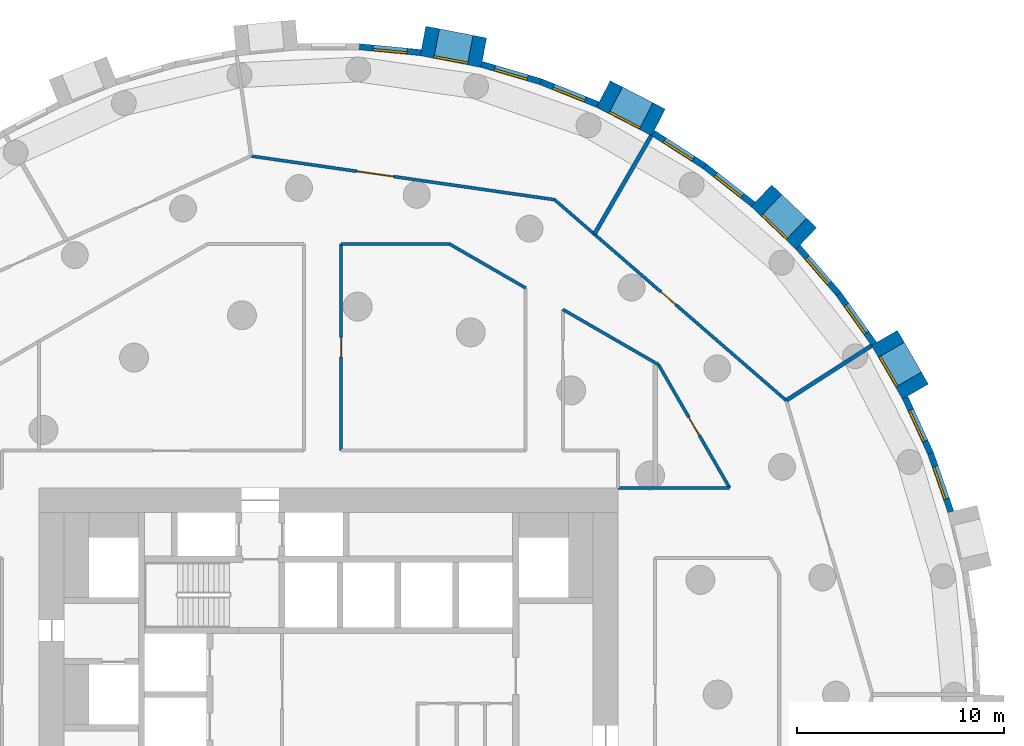
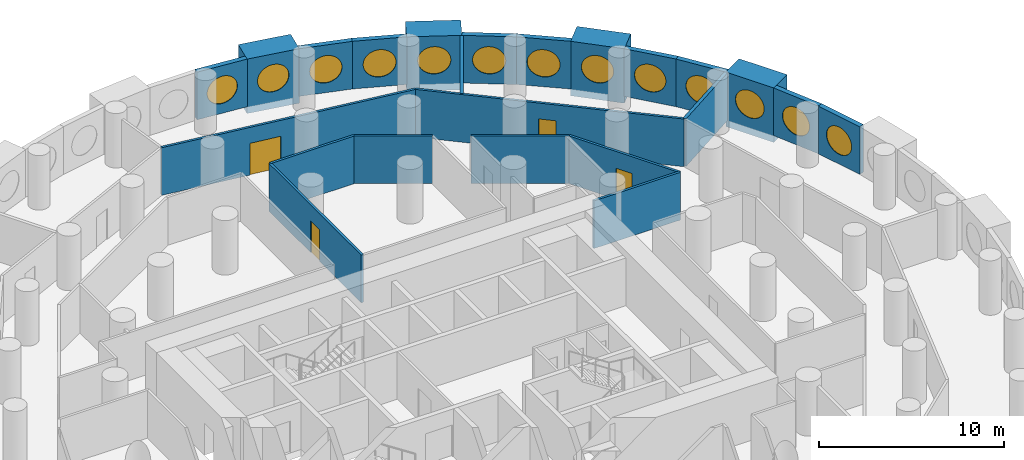
# One storey, part 9 of 11: 23 walls, 13 windows, 4 doors, 17 openings.
"""IFC4 building model written with IfcOpenShell, lengths in metres."""

from ifc_helpers import new_model, si_unit, direction, frame, frame_2d, origin, origin_2d, place, context, subcontext, project, spatial, rectangle, circle, extrude, material, layer, layer_set, type_object, element, fill, save


model = new_model("IFC4")

# Units and contexts
model_context = context("Model", 3, precision=1e-05, world=origin(), true_north=direction((0.0, 1.0)))
body_context = subcontext(model_context, "Body", "Model", "MODEL_VIEW")
ifc_project = project(units=[si_unit("LENGTHUNIT", "METRE"), si_unit("AREAUNIT", "SQUARE_METRE"), si_unit("VOLUMEUNIT", "CUBIC_METRE"), si_unit("PLANEANGLEUNIT", "RADIAN"), si_unit("MASSUNIT", "GRAM", prefix="KILO")], contexts=[model_context])

# Site, building, storey
site_placement = place(None, origin())
site = spatial("IfcSite", under=ifc_project, at=site_placement, CompositionType="ELEMENT")
building_placement = place(site_placement, origin())
building = spatial("IfcBuilding", under=site, at=building_placement, Name="Tracery Tower", CompositionType="ELEMENT")
storey_placement = place(building_placement, frame((0.0, 0.0, 67.800048828125)))
storey = spatial("IfcBuildingStorey", under=building, at=storey_placement, Name="L16", CompositionType="ELEMENT", Elevation=67.800048828125)

# Wall, opening, window
ifc_material_1 = material(Name="Precast concrete C50/60", Category="concrete")
ifc_layer_1 = layer(ifc_material_1, 1.449951171875)
ifc_layer_set_1 = layer_set([ifc_layer_1], Name="Deep-set bay unit 3000 x 3600, slab edge 450")
wall_type_1 = type_object("IfcWallType", Name="Deep-set bay unit 3000 x 3600, slab edge 450", PredefinedType="ELEMENTEDWALL", material=ifc_layer_set_1)
wall_1_placement = place(storey_placement, frame((28.38818359375, 14.657958984375, -0.449951171875), z_axis=(0.0, 0.0, 1.0), x_axis=(-0.499990139034, 0.866031096941, 0.0)))
wall_1 = element("IfcWall", 1, at=wall_1_placement, inside=storey, type_object=wall_type_1, Name="Deep-set bay unit 6 at L16", PredefinedType="ELEMENTEDWALL", context=body_context, shape_type="SweptSolid", body=[
    extrude(rectangle(XDim=3.0, YDim=1.449951171875, at=frame_2d((1.5, 0.0))), origin(), (0.0, 0.0, 1.0), 3.599853515625),
])
opening_1_placement = place(wall_1_placement, frame((1.5, 0.0, 2.0)))
opening_1 = element("IfcOpeningElement", 2, at=opening_1_placement, cuts=wall_1, Name="Opening WN1", PredefinedType="OPENING", context=body_context, shape_type="SweptSolid", body=[
    extrude(circle(Radius=0.9000244140625, at=origin_2d()), frame((0.0, 0.73486328125, 0.0), z_axis=(0.0, -1.0, 0.0), x_axis=(1.0, 0.0, 0.0)), (0.0, 0.0, 1.0), 1.469970703125),
])
ifc_material_2 = material(Name="Aluminium frame with tinted double glazing", Category="aluminium")
window_type = type_object("IfcWindowType", Name="Round window 1800", PartitioningType="SINGLE_PANEL", PredefinedType="WINDOW", material=ifc_material_2)
window_1_placement = place(opening_1_placement, origin())
window_1 = element("IfcWindow", 3, at=window_1_placement, inside=storey, type_object=window_type, Name="Round window 6 at L16", OverallHeight=1.800048828125, OverallWidth=1.800048828125, PartitioningType="SINGLE_PANEL", PredefinedType="WINDOW", context=body_context, shape_type="SweptSolid", body=[
    extrude(circle(Radius=0.9000244140625, at=origin_2d()), frame((0.0, 0.69482421875, 0.0), z_axis=(0.0, -1.0, 0.0), x_axis=(1.0, 0.0, 0.0)), (0.0, 0.0, 1.0), 0.10009765625),
])
fill(opening_1, window_1)

wall_2_placement = place(storey_placement, frame((23.108642578125, 22.06201171875, -0.449951171875), z_axis=(0.0, 0.0, 1.0), x_axis=(-0.723712023899, 0.690102098579, 0.0)))
wall_2 = element("IfcWall", 4, at=wall_2_placement, inside=storey, type_object=wall_type_1, Name="Deep-set bay unit 9 at L16", PredefinedType="ELEMENTEDWALL", context=body_context, shape_type="SweptSolid", body=[
    extrude(rectangle(XDim=3.0, YDim=1.449951171875, at=frame_2d((1.5, 0.0))), origin(), (0.0, 0.0, 1.0), 3.599853515625),
])
opening_2_placement = place(wall_2_placement, frame((1.5, 0.0, 2.0)))
opening_2 = element("IfcOpeningElement", 5, at=opening_2_placement, cuts=wall_2, Name="Opening WN1", PredefinedType="OPENING", context=body_context, shape_type="SweptSolid", body=[
    extrude(circle(Radius=0.9000244140625, at=origin_2d()), frame((0.0, 0.73486328125, 0.0), z_axis=(0.0, -1.0, 0.0), x_axis=(1.0, 0.0, 0.0)), (0.0, 0.0, 1.0), 1.469970703125),
])
window_2_placement = place(opening_2_placement, origin())
window_2 = element("IfcWindow", 6, at=window_2_placement, inside=storey, type_object=window_type, Name="Round window 9 at L16", OverallHeight=1.800048828125, OverallWidth=1.800048828125, PartitioningType="SINGLE_PANEL", PredefinedType="WINDOW", context=body_context, shape_type="SweptSolid", body=[
    extrude(circle(Radius=0.9000244140625, at=origin_2d()), frame((0.0, 0.69482421875, 0.0), z_axis=(0.0, -1.0, 0.0), x_axis=(1.0, 0.0, 0.0)), (0.0, 0.0, 1.0), 0.10009765625),
])
fill(opening_2, window_2)

wall_3_placement = place(storey_placement, frame((15.95703125, 27.678955078125, -0.449951171875), z_axis=(0.0, 0.0, 1.0), x_axis=(-0.888858064689, 0.458182650083, 0.0)))
wall_3 = element("IfcWall", 7, at=wall_3_placement, inside=storey, type_object=wall_type_1, Name="Deep-set bay unit 12 at L16", PredefinedType="ELEMENTEDWALL", context=body_context, shape_type="SweptSolid", body=[
    extrude(rectangle(XDim=3.0, YDim=1.449951171875, at=frame_2d((1.5, 0.0))), origin(), (0.0, 0.0, 1.0), 3.599853515625),
])
opening_3_placement = place(wall_3_placement, frame((1.5, 0.0, 2.0)))
opening_3 = element("IfcOpeningElement", 8, at=opening_3_placement, cuts=wall_3, Name="Opening WN1", PredefinedType="OPENING", context=body_context, shape_type="SweptSolid", body=[
    extrude(circle(Radius=0.9000244140625, at=origin_2d()), frame((0.0, 0.73486328125, 0.0), z_axis=(0.0, -1.0, 0.0), x_axis=(1.0, 0.0, 0.0)), (0.0, 0.0, 1.0), 1.469970703125),
])
window_3_placement = place(opening_3_placement, origin())
window_3 = element("IfcWindow", 9, at=window_3_placement, inside=storey, type_object=window_type, Name="Round window 12 at L16", OverallHeight=1.800048828125, OverallWidth=1.800048828125, PartitioningType="SINGLE_PANEL", PredefinedType="WINDOW", context=body_context, shape_type="SweptSolid", body=[
    extrude(circle(Radius=0.9000244140625, at=origin_2d()), frame((0.0, 0.69482421875, 0.0), z_axis=(0.0, -1.0, 0.0), x_axis=(1.0, 0.0, 0.0)), (0.0, 0.0, 1.0), 0.10009765625),
])
fill(opening_3, window_3)

wall_4_placement = place(storey_placement, frame((7.5126953125, 31.05322265625, -0.449951171875), z_axis=(0.0, 0.0, 1.0), x_axis=(-0.981921602273, 0.189288052949, 0.0)))
wall_4 = element("IfcWall", 10, at=wall_4_placement, inside=storey, type_object=wall_type_1, Name="Deep-set bay unit 15 at L16", PredefinedType="ELEMENTEDWALL", context=body_context, shape_type="SweptSolid", body=[
    extrude(rectangle(XDim=3.0, YDim=1.449951171875, at=frame_2d((1.5, 0.0))), origin(), (0.0, 0.0, 1.0), 3.599853515625),
])
opening_4_placement = place(wall_4_placement, frame((1.5, 0.0, 2.0)))
opening_4 = element("IfcOpeningElement", 11, at=opening_4_placement, cuts=wall_4, Name="Opening WN1", PredefinedType="OPENING", context=body_context, shape_type="SweptSolid", body=[
    extrude(circle(Radius=0.9000244140625, at=origin_2d()), frame((0.0, 0.73486328125, 0.0), z_axis=(0.0, -1.0, 0.0), x_axis=(1.0, 0.0, 0.0)), (0.0, 0.0, 1.0), 1.469970703125),
])
window_4_placement = place(opening_4_placement, origin())
window_4 = element("IfcWindow", 12, at=window_4_placement, inside=storey, type_object=window_type, Name="Round window 15 at L16", OverallHeight=1.800048828125, OverallWidth=1.800048828125, PartitioningType="SINGLE_PANEL", PredefinedType="WINDOW", context=body_context, shape_type="SweptSolid", body=[
    extrude(circle(Radius=0.9000244140625, at=origin_2d()), frame((0.0, 0.69482421875, 0.0), z_axis=(0.0, -1.0, 0.0), x_axis=(1.0, 0.0, 0.0)), (0.0, 0.0, 1.0), 0.10009765625),
])
fill(opening_4, window_4)

ifc_material_3 = material(Name="Precast concrete C50/60", Category="concrete")
ifc_layer_2 = layer(ifc_material_3, 0.300048828125)
ifc_layer_set_2 = layer_set([ifc_layer_2], Name="Facade panel 3000 x 3150")
wall_type_2 = type_object("IfcWallType", Name="Facade panel 3000 x 3150", PredefinedType="SOLIDWALL", material=ifc_layer_set_2)
wall_5_placement = place(storey_placement, frame((30.1015625, 8.844970703125, 0.0), z_axis=(0.0, 0.0, 1.0), x_axis=(-0.327096492592, 0.944990944154, 0.0)))
wall_5 = element("IfcWall", 13, at=wall_5_placement, inside=storey, type_object=wall_type_2, Name="Facade panel 4 at L16", PredefinedType="SOLIDWALL", context=body_context, shape_type="SweptSolid", body=[
    extrude(rectangle(XDim=2.9794921875, YDim=0.300048828125, at=frame_2d((1.48974609375, 0.0))), origin(), (0.0, 0.0, 1.0), 3.14990234375),
])
opening_5_placement = place(wall_5_placement, frame((1.48974609375, 0.0, 1.5498046875)))
opening_5 = element("IfcOpeningElement", 14, at=opening_5_placement, cuts=wall_5, Name="Opening WN1", PredefinedType="OPENING", context=body_context, shape_type="SweptSolid", body=[
    extrude(circle(Radius=0.9000244140625, at=origin_2d()), frame((0.0, 0.159912109375, 0.0), z_axis=(0.0, -1.0, 0.0), x_axis=(1.0, 0.0, 0.0)), (0.0, 0.0, 1.0), 0.320068359375),
])
window_5_placement = place(opening_5_placement, origin())
window_5 = element("IfcWindow", 15, at=window_5_placement, inside=storey, type_object=window_type, Name="Round window 4 at L16", OverallHeight=1.800048828125, OverallWidth=1.800048828125, PartitioningType="SINGLE_PANEL", PredefinedType="WINDOW", context=body_context, shape_type="SweptSolid", body=[
    extrude(circle(Radius=0.9000244140625, at=origin_2d()), frame((0.0, 0.1201171875, 0.0), z_axis=(0.0, -1.0, 0.0), x_axis=(1.0, 0.0, 0.0)), (0.0, 0.0, 1.0), 0.10009765625),
])
fill(opening_5, window_5)

wall_6_placement = place(storey_placement, frame((29.126953125, 11.66064453125, 0.0), z_axis=(0.0, 0.0, 1.0), x_axis=(-0.415407317162, 0.909635509888, 0.0)))
wall_6 = element("IfcWall", 16, at=wall_6_placement, inside=storey, type_object=wall_type_2, Name="Facade panel 5 at L16", PredefinedType="SOLIDWALL", context=body_context, shape_type="SweptSolid", body=[
    extrude(rectangle(XDim=2.979736328125, YDim=0.300048828125, at=frame_2d((1.48974609375, 0.0))), origin(), (0.0, 0.0, 1.0), 3.14990234375),
])
opening_6_placement = place(wall_6_placement, frame((1.48974609375, 0.0, 1.5498046875)))
opening_6 = element("IfcOpeningElement", 17, at=opening_6_placement, cuts=wall_6, Name="Opening WN1", PredefinedType="OPENING", context=body_context, shape_type="SweptSolid", body=[
    extrude(circle(Radius=0.9000244140625, at=origin_2d()), frame((0.0, 0.159912109375, 0.0), z_axis=(0.0, -1.0, 0.0), x_axis=(1.0, 0.0, 0.0)), (0.0, 0.0, 1.0), 0.320068359375),
])
window_6_placement = place(opening_6_placement, origin())
window_6 = element("IfcWindow", 18, at=window_6_placement, inside=storey, type_object=window_type, Name="Round window 5 at L16", OverallHeight=1.800048828125, OverallWidth=1.800048828125, PartitioningType="SINGLE_PANEL", PredefinedType="WINDOW", context=body_context, shape_type="SweptSolid", body=[
    extrude(circle(Radius=0.9000244140625, at=origin_2d()), frame((0.0, 0.1201171875, 0.0), z_axis=(0.0, -1.0, 0.0), x_axis=(1.0, 0.0, 0.0)), (0.0, 0.0, 1.0), 0.10009765625),
])
fill(opening_6, window_6)

wall_7_placement = place(storey_placement, frame((26.390380859375, 16.96728515625, 0.0), z_axis=(0.0, 0.0, 1.0), x_axis=(-0.580113774115, 0.814535456, 0.0)))
wall_7 = element("IfcWall", 19, at=wall_7_placement, inside=storey, type_object=wall_type_2, Name="Facade panel 7 at L16", PredefinedType="SOLIDWALL", context=body_context, shape_type="SweptSolid", body=[
    extrude(rectangle(XDim=2.979736328125, YDim=0.300048828125, at=frame_2d((1.48974609375, 0.0))), origin(), (0.0, 0.0, 1.0), 3.14990234375),
])
opening_7_placement = place(wall_7_placement, frame((1.48974609375, 0.0, 1.5498046875)))
opening_7 = element("IfcOpeningElement", 20, at=opening_7_placement, cuts=wall_7, Name="Opening WN1", PredefinedType="OPENING", context=body_context, shape_type="SweptSolid", body=[
    extrude(circle(Radius=0.9000244140625, at=origin_2d()), frame((0.0, 0.159912109375, 0.0), z_axis=(0.0, -1.0, 0.0), x_axis=(1.0, 0.0, 0.0)), (0.0, 0.0, 1.0), 0.320068359375),
])
window_7_placement = place(opening_7_placement, origin())
window_7 = element("IfcWindow", 21, at=window_7_placement, inside=storey, type_object=window_type, Name="Round window 7 at L16", OverallHeight=1.800048828125, OverallWidth=1.800048828125, PartitioningType="SINGLE_PANEL", PredefinedType="WINDOW", context=body_context, shape_type="SweptSolid", body=[
    extrude(circle(Radius=0.9000244140625, at=origin_2d()), frame((0.0, 0.1201171875, 0.0), z_axis=(0.0, -1.0, 0.0), x_axis=(1.0, 0.0, 0.0)), (0.0, 0.0, 1.0), 0.10009765625),
])
fill(opening_7, window_7)

wall_8_placement = place(storey_placement, frame((24.661865234375, 19.394287109375, 0.0), z_axis=(0.0, 0.0, 1.0), x_axis=(-0.654830712471, 0.755775587066, 0.0)))
wall_8 = element("IfcWall", 22, at=wall_8_placement, inside=storey, type_object=wall_type_2, Name="Facade panel 8 at L16", PredefinedType="SOLIDWALL", context=body_context, shape_type="SweptSolid", body=[
    extrude(rectangle(XDim=2.979736328125, YDim=0.300048828125, at=frame_2d((1.48974609375, 0.0))), origin(), (0.0, 0.0, 1.0), 3.14990234375),
])
opening_8_placement = place(wall_8_placement, frame((1.48974609375, 0.0, 1.5498046875)))
opening_8 = element("IfcOpeningElement", 23, at=opening_8_placement, cuts=wall_8, Name="Opening WN1", PredefinedType="OPENING", context=body_context, shape_type="SweptSolid", body=[
    extrude(circle(Radius=0.9000244140625, at=origin_2d()), frame((0.0, 0.159912109375, 0.0), z_axis=(0.0, -1.0, 0.0), x_axis=(1.0, 0.0, 0.0)), (0.0, 0.0, 1.0), 0.320068359375),
])
window_8_placement = place(opening_8_placement, origin())
window_8 = element("IfcWindow", 24, at=window_8_placement, inside=storey, type_object=window_type, Name="Round window 8 at L16", OverallHeight=1.800048828125, OverallWidth=1.800048828125, PartitioningType="SINGLE_PANEL", PredefinedType="WINDOW", context=body_context, shape_type="SweptSolid", body=[
    extrude(circle(Radius=0.9000244140625, at=origin_2d()), frame((0.0, 0.1201171875, 0.0), z_axis=(0.0, -1.0, 0.0), x_axis=(1.0, 0.0, 0.0)), (0.0, 0.0, 1.0), 0.10009765625),
])
fill(opening_8, window_8)

wall_9_placement = place(storey_placement, frame((20.541015625, 23.715087890625, 0.0), z_axis=(0.0, 0.0, 1.0), x_axis=(-0.786053834673, 0.618158045322, 0.0)))
wall_9 = element("IfcWall", 25, at=wall_9_placement, inside=storey, type_object=wall_type_2, Name="Facade panel 10 at L16", PredefinedType="SOLIDWALL", context=body_context, shape_type="SweptSolid", body=[
    extrude(rectangle(XDim=2.9794921875, YDim=0.300048828125, at=frame_2d((1.48974609375, 0.0))), origin(), (0.0, 0.0, 1.0), 3.14990234375),
])
opening_9_placement = place(wall_9_placement, frame((1.48974609375, 0.0, 1.5498046875)))
opening_9 = element("IfcOpeningElement", 26, at=opening_9_placement, cuts=wall_9, Name="Opening WN1", PredefinedType="OPENING", context=body_context, shape_type="SweptSolid", body=[
    extrude(circle(Radius=0.9000244140625, at=origin_2d()), frame((0.0, 0.159912109375, 0.0), z_axis=(0.0, -1.0, 0.0), x_axis=(1.0, 0.0, 0.0)), (0.0, 0.0, 1.0), 0.320068359375),
])
window_9_placement = place(opening_9_placement, origin())
window_9 = element("IfcWindow", 27, at=window_9_placement, inside=storey, type_object=window_type, Name="Round window 10 at L16", OverallHeight=1.800048828125, OverallWidth=1.800048828125, PartitioningType="SINGLE_PANEL", PredefinedType="WINDOW", context=body_context, shape_type="SweptSolid", body=[
    extrude(circle(Radius=0.9000244140625, at=origin_2d()), frame((0.0, 0.1201171875, 0.0), z_axis=(0.0, -1.0, 0.0), x_axis=(1.0, 0.0, 0.0)), (0.0, 0.0, 1.0), 0.10009765625),
])
fill(opening_9, window_9)

wall_10_placement = place(storey_placement, frame((18.198974609375, 25.556884765625, 0.0), z_axis=(0.0, 0.0, 1.0), x_axis=(-0.841260995538, 0.54062920508, 0.0)))
wall_10 = element("IfcWall", 28, at=wall_10_placement, inside=storey, type_object=wall_type_2, Name="Facade panel 11 at L16", PredefinedType="SOLIDWALL", context=body_context, shape_type="SweptSolid", body=[
    extrude(rectangle(XDim=2.9794921875, YDim=0.300048828125, at=frame_2d((1.48974609375, 0.0))), origin(), (0.0, 0.0, 1.0), 3.14990234375),
])
opening_10_placement = place(wall_10_placement, frame((1.48974609375, 0.0, 1.5498046875)))
opening_10 = element("IfcOpeningElement", 29, at=opening_10_placement, cuts=wall_10, Name="Opening WN1", PredefinedType="OPENING", context=body_context, shape_type="SweptSolid", body=[
    extrude(circle(Radius=0.9000244140625, at=origin_2d()), frame((0.0, 0.159912109375, 0.0), z_axis=(0.0, -1.0, 0.0), x_axis=(1.0, 0.0, 0.0)), (0.0, 0.0, 1.0), 0.320068359375),
])
window_10_placement = place(opening_10_placement, origin())
window_10 = element("IfcWindow", 30, at=window_10_placement, inside=storey, type_object=window_type, Name="Round window 11 at L16", OverallHeight=1.800048828125, OverallWidth=1.800048828125, PartitioningType="SINGLE_PANEL", PredefinedType="WINDOW", context=body_context, shape_type="SweptSolid", body=[
    extrude(circle(Radius=0.9000244140625, at=origin_2d()), frame((0.0, 0.1201171875, 0.0), z_axis=(0.0, -1.0, 0.0), x_axis=(1.0, 0.0, 0.0)), (0.0, 0.0, 1.0), 0.10009765625),
])
fill(opening_10, window_10)

wall_11_placement = place(storey_placement, frame((13.02783203125, 28.54150390625, 0.0), z_axis=(0.0, 0.0, 1.0), x_axis=(-0.928374947, 0.371644935098, 0.0)))
wall_11 = element("IfcWall", 31, at=wall_11_placement, inside=storey, type_object=wall_type_2, Name="Facade panel 13 at L16", PredefinedType="SOLIDWALL", context=body_context, shape_type="SweptSolid", body=[
    extrude(rectangle(XDim=2.979736328125, YDim=0.300048828125, at=frame_2d((1.48974609375, 0.0))), origin(), (0.0, 0.0, 1.0), 3.14990234375),
])
opening_11_placement = place(wall_11_placement, frame((1.48974609375, 0.0, 1.5498046875)))
opening_11 = element("IfcOpeningElement", 32, at=opening_11_placement, cuts=wall_11, Name="Opening WN1", PredefinedType="OPENING", context=body_context, shape_type="SweptSolid", body=[
    extrude(circle(Radius=0.9000244140625, at=origin_2d()), frame((0.0, 0.159912109375, 0.0), z_axis=(0.0, -1.0, 0.0), x_axis=(1.0, 0.0, 0.0)), (0.0, 0.0, 1.0), 0.320068359375),
])
window_11_placement = place(opening_11_placement, origin())
window_11 = element("IfcWindow", 33, at=window_11_placement, inside=storey, type_object=window_type, Name="Round window 13 at L16", OverallHeight=1.800048828125, OverallWidth=1.800048828125, PartitioningType="SINGLE_PANEL", PredefinedType="WINDOW", context=body_context, shape_type="SweptSolid", body=[
    extrude(circle(Radius=0.9000244140625, at=origin_2d()), frame((0.0, 0.1201171875, 0.0), z_axis=(0.0, -1.0, 0.0), x_axis=(1.0, 0.0, 0.0)), (0.0, 0.0, 1.0), 0.10009765625),
])
fill(opening_11, window_11)

wall_12_placement = place(storey_placement, frame((10.261474609375, 29.64892578125, 0.0), z_axis=(0.0, 0.0, 1.0), x_axis=(-0.959501085144, 0.281704930036, 0.0)))
wall_12 = element("IfcWall", 34, at=wall_12_placement, inside=storey, type_object=wall_type_2, Name="Facade panel 14 at L16", PredefinedType="SOLIDWALL", context=body_context, shape_type="SweptSolid", body=[
    extrude(rectangle(XDim=2.9794921875, YDim=0.300048828125, at=frame_2d((1.48974609375, 0.0))), origin(), (0.0, 0.0, 1.0), 3.14990234375),
])
opening_12_placement = place(wall_12_placement, frame((1.48974609375, 0.0, 1.5498046875)))
opening_12 = element("IfcOpeningElement", 35, at=opening_12_placement, cuts=wall_12, Name="Opening WN1", PredefinedType="OPENING", context=body_context, shape_type="SweptSolid", body=[
    extrude(circle(Radius=0.9000244140625, at=origin_2d()), frame((0.0, 0.159912109375, 0.0), z_axis=(0.0, -1.0, 0.0), x_axis=(1.0, 0.0, 0.0)), (0.0, 0.0, 1.0), 0.320068359375),
])
window_12_placement = place(opening_12_placement, origin())
window_12 = element("IfcWindow", 36, at=window_12_placement, inside=storey, type_object=window_type, Name="Round window 14 at L16", OverallHeight=1.800048828125, OverallWidth=1.800048828125, PartitioningType="SINGLE_PANEL", PredefinedType="WINDOW", context=body_context, shape_type="SweptSolid", body=[
    extrude(circle(Radius=0.9000244140625, at=origin_2d()), frame((0.0, 0.1201171875, 0.0), z_axis=(0.0, -1.0, 0.0), x_axis=(1.0, 0.0, 0.0)), (0.0, 0.0, 1.0), 0.10009765625),
])
fill(opening_12, window_12)

wall_13_placement = place(storey_placement, frame((4.458984375, 31.0556640625, 0.0), z_axis=(0.0, 0.0, 1.0), x_axis=(-0.995472611385, 0.095048829468, 0.0)))
wall_13 = element("IfcWall", 37, at=wall_13_placement, inside=storey, type_object=wall_type_2, Name="Facade panel 16 at L16", PredefinedType="SOLIDWALL", context=body_context, shape_type="SweptSolid", body=[
    extrude(rectangle(XDim=2.9794921875, YDim=0.300048828125, at=frame_2d((1.48974609375, 0.0))), origin(), (0.0, 0.0, 1.0), 3.14990234375),
])
opening_13_placement = place(wall_13_placement, frame((1.48974609375, 0.0, 1.5498046875)))
opening_13 = element("IfcOpeningElement", 38, at=opening_13_placement, cuts=wall_13, Name="Opening WN1", PredefinedType="OPENING", context=body_context, shape_type="SweptSolid", body=[
    extrude(circle(Radius=0.9000244140625, at=origin_2d()), frame((0.0, 0.159912109375, 0.0), z_axis=(0.0, -1.0, 0.0), x_axis=(1.0, 0.0, 0.0)), (0.0, 0.0, 1.0), 0.320068359375),
])
window_13_placement = place(opening_13_placement, origin())
window_13 = element("IfcWindow", 39, at=window_13_placement, inside=storey, type_object=window_type, Name="Round window 16 at L16", OverallHeight=1.800048828125, OverallWidth=1.800048828125, PartitioningType="SINGLE_PANEL", PredefinedType="WINDOW", context=body_context, shape_type="SweptSolid", body=[
    extrude(circle(Radius=0.9000244140625, at=origin_2d()), frame((0.0, 0.1201171875, 0.0), z_axis=(0.0, -1.0, 0.0), x_axis=(1.0, 0.0, 0.0)), (0.0, 0.0, 1.0), 0.10009765625),
])
fill(opening_13, window_13)

# Wall
ifc_material_4 = material(Name="Plasterboard on steel studs", Category="steel")
ifc_layer_3 = layer(ifc_material_4, 0.14990234375)
ifc_layer_set_3 = layer_set([ifc_layer_3], Name="Partition 150 corridor wall")
wall_type_3 = type_object("IfcWallType", Name="Partition 150 corridor wall", PredefinedType="PARTITIONING", material=ifc_layer_set_3)
wall_14_placement = place(storey_placement, frame((14.0, 10.0, 0.0), z_axis=(0.0, 0.0, 1.0), x_axis=(1.0, 0.0, 0.0)))
element("IfcWall", 40, at=wall_14_placement, inside=storey, type_object=wall_type_3, Name="Corridor wall RA4-011", PredefinedType="PARTITIONING", context=body_context, shape_type="SweptSolid", body=[
    extrude(rectangle(XDim=5.40087890625, YDim=0.14990234375, at=frame_2d((2.700439453125, 0.0))), origin(), (0.0, 0.0, 1.0), 3.14990234375),
])

# Wall, opening, door
wall_15_placement = place(storey_placement, frame((15.9599609375, 15.9599609375, 0.0), z_axis=(0.0, 0.0, 1.0), x_axis=(0.499992689227, -0.86602962462, 0.0)))
wall_15 = element("IfcWall", 41, at=wall_15_placement, inside=storey, type_object=wall_type_3, Name="Corridor wall RA4-020", PredefinedType="PARTITIONING", context=body_context, shape_type="SweptSolid", body=[
    extrude(rectangle(XDim=6.8818359375, YDim=0.14990234375, at=frame_2d((3.44091796875, 0.0))), origin(), (0.0, 0.0, 1.0), 3.14990234375),
])
opening_14_placement = place(wall_15_placement, frame((2.94091796875, 0.0, 0.0)))
opening_14 = element("IfcOpeningElement", 42, at=opening_14_placement, cuts=wall_15, Name="Opening RA4-09", PredefinedType="OPENING", context=body_context, shape_type="SweptSolid", body=[
    extrude(rectangle(XDim=1.0, YDim=2.0400390625, at=frame_2d((0.5, 1.02001953125))), frame((0.0, 0.074951171875, 0.0), z_axis=(0.0, -1.0, 0.0), x_axis=(1.0, 0.0, 0.0)), (0.0, 0.0, 1.0), 0.14990234375),
])
ifc_material_5 = material(Name="Timber door leaf", Category="wood")
door_type_1 = type_object("IfcDoorType", Name="Door communal room 1000", OperationType="NOTDEFINED", PredefinedType="DOOR", material=ifc_material_5)
door_1_placement = place(opening_14_placement, origin())
door_1 = element("IfcDoor", 43, at=door_1_placement, inside=storey, type_object=door_type_1, Name="Communal room door RA4-09", OperationType="SINGLE_SWING_LEFT", OverallHeight=2.0400390625, OverallWidth=1.0, PredefinedType="DOOR", context=body_context, shape_type="SweptSolid", body=[
    extrude(rectangle(XDim=1.0, YDim=2.0400390625, at=frame_2d((0.5, 1.02001953125))), frame((0.0, 0.02490234375, 0.0), z_axis=(0.0, -1.0, 0.0), x_axis=(1.0, 0.0, 0.0)), (0.0, 0.0, 1.0), 0.050048828125),
])
fill(opening_14, door_1)

wall_16_placement = place(storey_placement, frame((10.93310546875, 23.940185546875, 0.0), z_axis=(0.0, 0.0, 1.0), x_axis=(0.755770011705, -0.654837147242, 0.0)))
wall_16 = element("IfcWall", 44, at=wall_16_placement, inside=storey, type_object=wall_type_3, Name="Corridor wall RA4-023", PredefinedType="PARTITIONING", context=body_context, shape_type="SweptSolid", body=[
    extrude(rectangle(XDim=14.829833984375, YDim=0.14990234375, at=frame_2d((7.4150390625, 0.0))), origin(), (0.0, 0.0, 1.0), 3.14990234375),
])
opening_15_placement = place(wall_16_placement, frame((6.807373046875, 0.0, 0.0)))
opening_15 = element("IfcOpeningElement", 45, at=opening_15_placement, cuts=wall_16, Name="Opening RA4-14", PredefinedType="OPENING", context=body_context, shape_type="SweptSolid", body=[
    extrude(rectangle(XDim=0.949951171875, YDim=2.10009765625, at=frame_2d((0.47509765625, 1.050048828125))), frame((0.0, 0.074951171875, 0.0), z_axis=(0.0, -1.0, 0.0), x_axis=(1.0, 0.0, 0.0)), (0.0, 0.0, 1.0), 0.14990234375),
])
ifc_material_6 = material(Name="Timber door leaf", Category="wood")
door_type_2 = type_object("IfcDoorType", Name="Door store 950", OperationType="NOTDEFINED", PredefinedType="DOOR", material=ifc_material_6)
door_2_placement = place(opening_15_placement, origin())
door_2 = element("IfcDoor", 46, at=door_2_placement, inside=storey, type_object=door_type_2, Name="Store door RA4-14", OperationType="SINGLE_SWING_RIGHT", OverallHeight=2.10009765625, OverallWidth=0.949951171875, PredefinedType="DOOR", context=body_context, shape_type="SweptSolid", body=[
    extrude(rectangle(XDim=0.949951171875, YDim=2.10009765625, at=frame_2d((0.47509765625, 1.050048828125))), frame((0.0, 0.02490234375, 0.0), z_axis=(0.0, -1.0, 0.0), x_axis=(1.0, 0.0, 0.0)), (0.0, 0.0, 1.0), 0.050048828125),
])
fill(opening_15, door_2)

# Walls
wall_17_placement = place(storey_placement, frame((5.842041015625, 21.802001953125, 0.0), z_axis=(0.0, 0.0, 1.0), x_axis=(0.865983505205, -0.500072563448, 0.0)))
element("IfcWall", 47, at=wall_17_placement, inside=storey, type_object=wall_type_3, Name="Corridor wall RA4-030", PredefinedType="PARTITIONING", context=body_context, shape_type="SweptSolid", body=[
    extrude(rectangle(XDim=4.265380859375, YDim=0.14990234375, at=frame_2d((2.1328125, 0.0))), origin(), (0.0, 0.0, 1.0), 3.14990234375),
])
wall_18_placement = place(storey_placement, frame((0.60791015625, 21.802001953125, 0.0), z_axis=(0.0, 0.0, 1.0), x_axis=(1.0, 0.0, 0.0)))
element("IfcWall", 48, at=wall_18_placement, inside=storey, type_object=wall_type_3, Name="Corridor wall RA4-031", PredefinedType="PARTITIONING", context=body_context, shape_type="SweptSolid", body=[
    extrude(rectangle(XDim=5.234130859375, YDim=0.14990234375, at=frame_2d((2.6171875, 0.0))), origin(), (0.0, 0.0, 1.0), 3.14990234375),
])

# Wall, opening, door
wall_19_placement = place(storey_placement, frame((0.60791015625, 11.800048828125, 0.0), z_axis=(0.0, 0.0, 1.0), x_axis=(0.0, 1.0, 0.0)))
wall_19 = element("IfcWall", 49, at=wall_19_placement, inside=storey, type_object=wall_type_3, Name="Corridor wall RA4-032", PredefinedType="PARTITIONING", context=body_context, shape_type="SweptSolid", body=[
    extrude(rectangle(XDim=10.001953125, YDim=0.14990234375, at=frame_2d((5.0009765625, 0.0))), origin(), (0.0, 0.0, 1.0), 3.14990234375),
])
opening_16_placement = place(wall_19_placement, frame((4.52587890625, 0.0, 0.0)))
opening_16 = element("IfcOpeningElement", 50, at=opening_16_placement, cuts=wall_19, Name="Opening RA4-02", PredefinedType="OPENING", context=body_context, shape_type="SweptSolid", body=[
    extrude(rectangle(XDim=0.949951171875, YDim=2.10009765625, at=frame_2d((0.47509765625, 1.050048828125))), frame((0.0, 0.074951171875, 0.0), z_axis=(0.0, -1.0, 0.0), x_axis=(1.0, 0.0, 0.0)), (0.0, 0.0, 1.0), 0.14990234375),
])
door_3_placement = place(opening_16_placement, origin())
door_3 = element("IfcDoor", 51, at=door_3_placement, inside=storey, type_object=door_type_2, Name="Store door RA4-02", OperationType="SINGLE_SWING_RIGHT", OverallHeight=2.10009765625, OverallWidth=0.949951171875, PredefinedType="DOOR", context=body_context, shape_type="SweptSolid", body=[
    extrude(rectangle(XDim=0.949951171875, YDim=2.10009765625, at=frame_2d((0.47509765625, 1.050048828125))), frame((0.0, 0.02490234375, 0.0), z_axis=(0.0, -1.0, 0.0), x_axis=(1.0, 0.0, 0.0)), (0.0, 0.0, 1.0), 0.050048828125),
])
fill(opening_16, door_3)

# Wall
wall_20_placement = place(storey_placement, frame((11.3359375, 18.6298828125, 0.0), z_axis=(0.0, 0.0, 1.0), x_axis=(0.866056911224, -0.499945423543, 0.0)))
element("IfcWall", 52, at=wall_20_placement, inside=storey, type_object=wall_type_3, Name="Corridor wall RA4-033", PredefinedType="PARTITIONING", context=body_context, shape_type="SweptSolid", body=[
    extrude(rectangle(XDim=5.33935546875, YDim=0.14990234375, at=frame_2d((2.669677734375, 0.0))), origin(), (0.0, 0.0, 1.0), 3.14990234375),
])

# Wall, opening, door
wall_21_placement = place(storey_placement, frame((-3.74609375, 26.051025390625, 0.0), z_axis=(0.0, 0.0, 1.0), x_axis=(0.98981637125, -0.142350100825, 0.0)))
wall_21 = element("IfcWall", 53, at=wall_21_placement, inside=storey, type_object=wall_type_3, Name="Corridor wall RA4-035", PredefinedType="PARTITIONING", context=body_context, shape_type="SweptSolid", body=[
    extrude(rectangle(XDim=14.830322265625, YDim=0.14990234375, at=frame_2d((7.4150390625, 0.0))), origin(), (0.0, 0.0, 1.0), 3.14990234375),
])
opening_17_placement = place(wall_21_placement, frame((5.1650390625, 0.0, 0.0)))
opening_17 = element("IfcOpeningElement", 54, at=opening_17_placement, cuts=wall_21, Name="Opening RA4-15", PredefinedType="OPENING", context=body_context, shape_type="SweptSolid", body=[
    extrude(rectangle(XDim=1.800048828125, YDim=2.10009765625, at=frame_2d((0.89990234375, 1.050048828125))), frame((0.0, 0.074951171875, 0.0), z_axis=(0.0, -1.0, 0.0), x_axis=(1.0, 0.0, 0.0)), (0.0, 0.0, 1.0), 0.14990234375),
])
ifc_material_7 = material(Name="Timber door leaf", Category="wood")
door_type_3 = type_object("IfcDoorType", Name="Door double lounge 1800", OperationType="NOTDEFINED", PredefinedType="DOOR", material=ifc_material_7)
door_4_placement = place(opening_17_placement, origin())
door_4 = element("IfcDoor", 55, at=door_4_placement, inside=storey, type_object=door_type_3, Name="Double lounge door RA4-15", OperationType="DOUBLE_DOOR_SINGLE_SWING", OverallHeight=2.10009765625, OverallWidth=1.800048828125, PredefinedType="DOOR", context=body_context, shape_type="SweptSolid", body=[
    extrude(rectangle(XDim=1.800048828125, YDim=2.10009765625, at=frame_2d((0.89990234375, 1.050048828125))), frame((0.0, 0.02490234375, 0.0), z_axis=(0.0, -1.0, 0.0), x_axis=(1.0, 0.0, 0.0)), (0.0, 0.0, 1.0), 0.050048828125),
])
fill(opening_17, door_4)

# Walls
ifc_material_8 = material(Name="Plasterboard on steel studs", Category="steel")
ifc_layer_4 = layer(ifc_material_8, 0.199951171875)
ifc_layer_set_4 = layer_set([ifc_layer_4], Name="Partition 200 compartment wall")
wall_type_4 = type_object("IfcWallType", Name="Partition 200 compartment wall", PredefinedType="PARTITIONING", material=ifc_layer_set_4)
wall_22_placement = place(storey_placement, frame((22.14111328125, 14.22900390625, 0.0), z_axis=(0.0, 0.0, 1.0), x_axis=(0.841265781699, 0.540621757371, 0.0)))
element("IfcWall", 56, at=wall_22_placement, inside=storey, type_object=wall_type_4, Name="Compartment wall RA4-065", PredefinedType="PARTITIONING", context=body_context, shape_type="SweptSolid", body=[
    extrude(rectangle(XDim=4.90576171875, YDim=0.199951171875, at=frame_2d((2.452880859375, 0.0))), origin(), (0.0, 0.0, 1.0), 3.14990234375),
])
wall_23_placement = place(storey_placement, frame((12.85888671875, 22.27197265625, 0.0), z_axis=(0.0, 0.0, 1.0), x_axis=(0.499968073049, 0.866043836033, 0.0)))
element("IfcWall", 57, at=wall_23_placement, inside=storey, type_object=wall_type_4, Name="Compartment wall RA4-067", PredefinedType="PARTITIONING", context=body_context, shape_type="SweptSolid", body=[
    extrude(rectangle(XDim=5.506591796875, YDim=0.199951171875, at=frame_2d((2.75341796875, 0.0))), origin(), (0.0, 0.0, 1.0), 3.14990234375),
])

save(model, "model.ifc")
